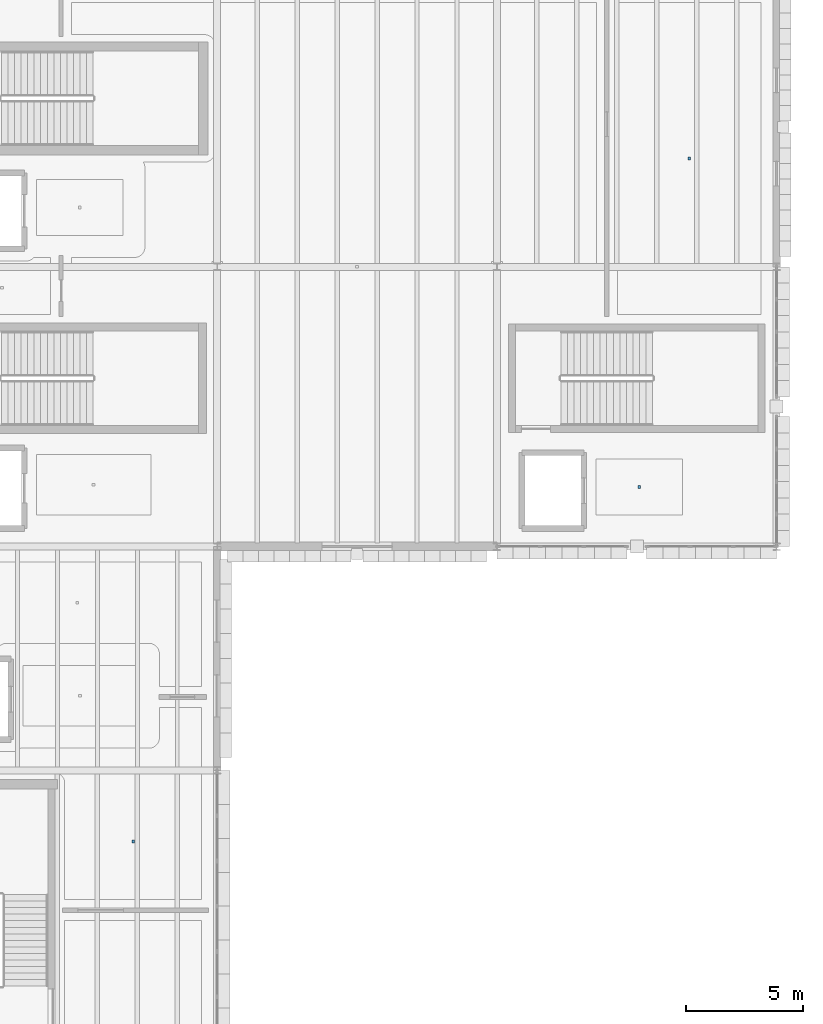
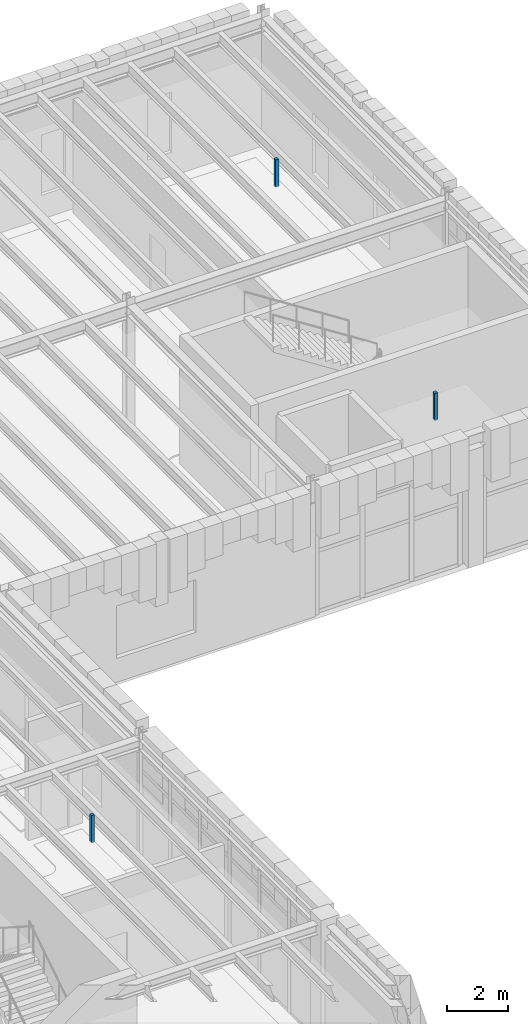
# One storey, part 69 of 100: 3 discrete accessories.
"""IFC4 building model written with IfcOpenShell, lengths in metres."""

from ifc_helpers import new_model, si_unit, direction, frame, origin, origin_2d, place, context, subcontext, project, spatial, rectangle, extrude, material, type_object, element, save


model = new_model("IFC4")

# Units and contexts
model_context = context("Model", 3, precision=1e-05, world=origin(), true_north=direction((0.0, 1.0)))
body_context = subcontext(model_context, "Body", "Model", "MODEL_VIEW")
ifc_project = project(units=[si_unit("LENGTHUNIT", "METRE"), si_unit("AREAUNIT", "SQUARE_METRE"), si_unit("VOLUMEUNIT", "CUBIC_METRE"), si_unit("PLANEANGLEUNIT", "RADIAN"), si_unit("MASSUNIT", "GRAM", prefix="KILO")], contexts=[model_context])

# Site, building, storey
site_placement = place(None, origin())
site = spatial("IfcSite", under=ifc_project, at=site_placement, CompositionType="ELEMENT")
building_placement = place(site_placement, origin())
building = spatial("IfcBuilding", under=site, at=building_placement, Name="Zlatogorsky Bluff Art Gallery", CompositionType="ELEMENT")
storey_placement = place(building_placement, frame((0.0, 0.0, 5.39990234375)))
storey = spatial("IfcBuildingStorey", under=building, at=storey_placement, Name="L01", CompositionType="ELEMENT", Elevation=5.39990234375)

# Discrete accessories
ifc_material = material(Name="Steel S355", Category="steel")
discrete_accessory_type = type_object("IfcDiscreteAccessoryType", Name="Stainless Facade Fin Bracket BRK-01", PredefinedType="BRACKET", material=ifc_material)
for number, where, z_axis, x_axis, name in (
    (1, (150.10009765625, 86.550048828125, 4.05517578125), (0.0, 0.0, 1.0), (1.0, 0.0, 0.0), "Acoustic ceiling suspension hanger L01-PL-2-LB"),
    (2, (128.39501953125, 71.3505859375, 4.05517578125), (0.0, 0.0, 1.0), (1.0, 0.0, 0.0), "Acoustic ceiling suspension hanger L01-C1-13"),
    (3, (152.245361328125, 100.64501953125, 4.05517578125), (0.0, 0.0, 1.0), (1.0, 0.0, 0.0), "Acoustic ceiling suspension hanger L01-ST-13"),
):
    element("IfcDiscreteAccessory", number, at=place(storey_placement, frame(where, z_axis=z_axis, x_axis=x_axis)), inside=storey, type_object=discrete_accessory_type, Name=name, PredefinedType="BRACKET", context=body_context, shape_type="SweptSolid", body=[
        extrude(rectangle(XDim=0.1201171875, YDim=0.1201171875, at=origin_2d()), origin(), (0.0, 0.0, 1.0), 1.080078125),
    ])

save(model, "model.ifc")
